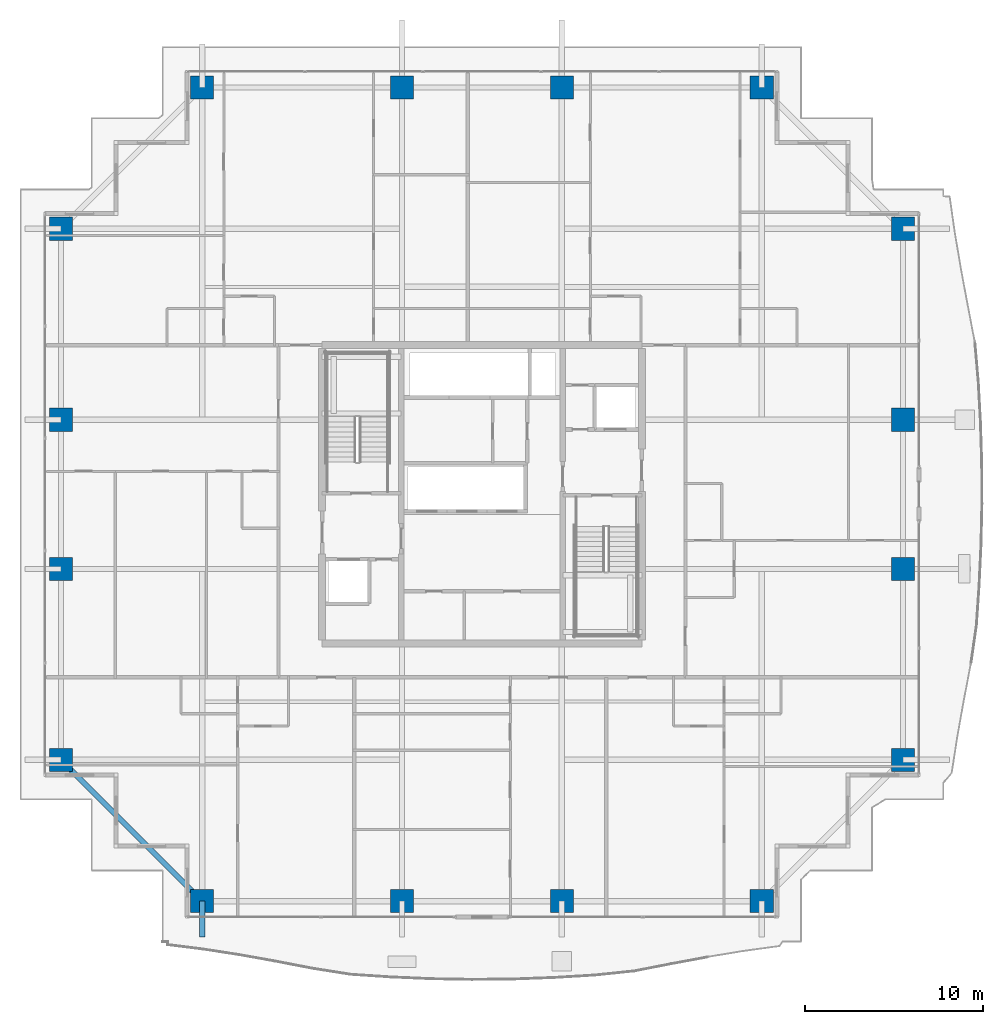
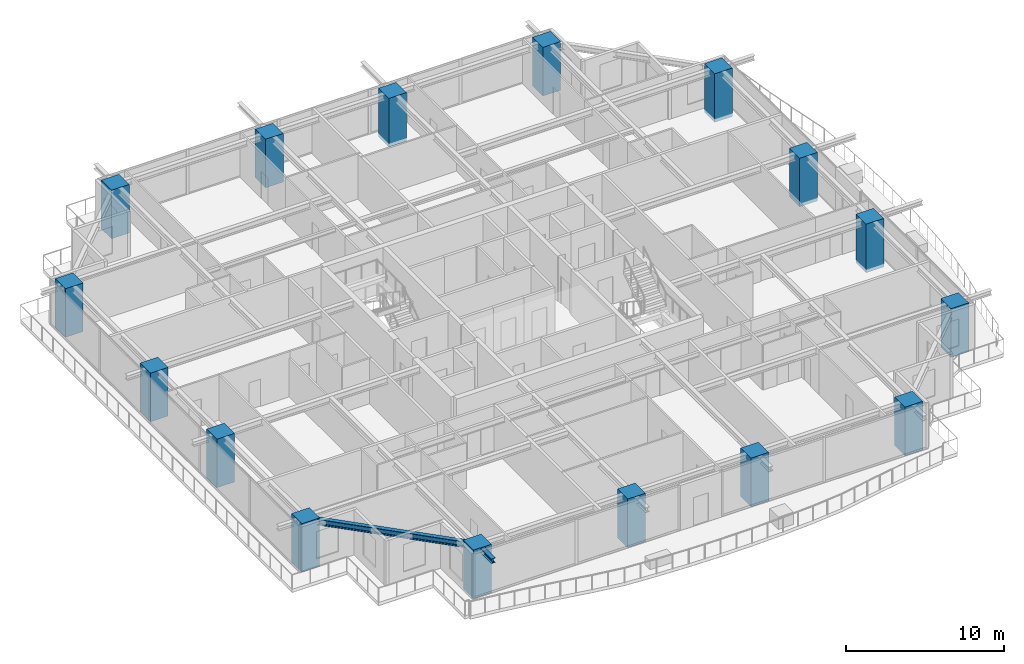
# One storey, part 1 of 37: 16 columns, 2 beams.
"""IFC4 building model written with IfcOpenShell, lengths in metres."""

from ifc_helpers import new_model, si_unit, direction, frame, origin, origin_2d, place, context, subcontext, project, spatial, rectangle, i_section, extrude, source, transform, mapped, material, material_profile, profile_set, type_object, element, save


model = new_model("IFC4")

# Units and contexts
model_context = context("Model", 3, precision=1e-05, world=origin(), true_north=direction((0.0, 1.0)))
body_context = subcontext(model_context, "Body", "Model", "MODEL_VIEW")
ifc_project = project(units=[si_unit("LENGTHUNIT", "METRE"), si_unit("AREAUNIT", "SQUARE_METRE"), si_unit("VOLUMEUNIT", "CUBIC_METRE"), si_unit("PLANEANGLEUNIT", "RADIAN"), si_unit("MASSUNIT", "GRAM", prefix="KILO")], contexts=[model_context])

# Site, building, storey
site_placement = place(None, origin())
site = spatial("IfcSite", under=ifc_project, at=site_placement, CompositionType="ELEMENT")
building_placement = place(site_placement, origin())
building = spatial("IfcBuilding", under=site, at=building_placement, Name="Serunith Strait Residences", CompositionType="ELEMENT")
storey_placement = place(building_placement, frame((0.0, 0.0, 161.39990234375)))
storey = spatial("IfcBuildingStorey", under=building, at=storey_placement, Name="L40", CompositionType="ELEMENT", Elevation=161.39990234375)

# Columns
ifc_material_1 = material(Name="Concrete C80/95", Category="concrete")
ifc_material_profile_1 = material_profile(ifc_material_1, rectangle(XDim=1.300048828125, YDim=1.300048828125, at=origin_2d()), Name="RC 1300x1300")
ifc_profile_set_1 = profile_set([ifc_material_profile_1], Name="Concrete C80/95")
column_type = type_object("IfcColumnType", Name="COL-RC-1300", PredefinedType="COLUMN", material=ifc_profile_set_1)
shared_shape_1 = source(origin(), body_context, "Body", "SweptSolid", [
    extrude(rectangle(XDim=1.300048828125, YDim=1.300048828125, at=origin_2d()), origin(), (0.0, 0.0, 1.0), 3.75),
])
for number, where, z_axis, x_axis, name in (
    (1, (16.64990234375, 2.300048828125, -0.260009765625), (0.0, 0.0, 1.0), (1.0, 0.0, 0.0), "L40 Tower Mega-Column TC-S1"),
    (2, (27.89990234375, 2.300048828125, -0.260009765625), (0.0, 0.0, 1.0), (1.0, 0.0, 0.0), "L40 Tower Mega-Column TC-S2"),
    (3, (36.89990234375, 2.300048828125, -0.260009765625), (0.0, 0.0, 1.0), (1.0, 0.0, 0.0), "L40 Tower Mega-Column TC-S3"),
    (4, (48.14990234375, 2.300048828125, -0.260009765625), (0.0, 0.0, 1.0), (1.0, 0.0, 0.0), "L40 Tower Mega-Column TC-S4"),
    (5, (16.64990234375, 48.10009765625, -0.260009765625), (0.0, 0.0, 1.0), (1.0, 0.0, 0.0), "L40 Tower Mega-Column TC-N1"),
    (6, (27.89990234375, 48.10009765625, -0.260009765625), (0.0, 0.0, 1.0), (1.0, 0.0, 0.0), "L40 Tower Mega-Column TC-N2"),
    (7, (36.89990234375, 48.10009765625, -0.260009765625), (0.0, 0.0, 1.0), (1.0, 0.0, 0.0), "L40 Tower Mega-Column TC-N3"),
    (8, (48.14990234375, 48.10009765625, -0.260009765625), (0.0, 0.0, 1.0), (1.0, 0.0, 0.0), "L40 Tower Mega-Column TC-N4"),
    (9, (56.10009765625, 10.25, -0.260009765625), (0.0, 0.0, 1.0), (1.0, 0.0, 0.0), "L40 Tower Mega-Column TC-E1"),
    (10, (56.10009765625, 21.0, -0.260009765625), (0.0, 0.0, 1.0), (1.0, 0.0, 0.0), "L40 Tower Mega-Column TC-E2"),
    (11, (56.10009765625, 29.39990234375, -0.260009765625), (0.0, 0.0, 1.0), (1.0, 0.0, 0.0), "L40 Tower Mega-Column TC-E3"),
    (12, (56.10009765625, 40.14990234375, -0.260009765625), (0.0, 0.0, 1.0), (1.0, 0.0, 0.0), "L40 Tower Mega-Column TC-E4"),
    (13, (8.699951171875, 10.25, -0.260009765625), (0.0, 0.0, 1.0), (1.0, 0.0, 0.0), "L40 Tower Mega-Column TC-W1"),
    (14, (8.699951171875, 21.0, -0.260009765625), (0.0, 0.0, 1.0), (1.0, 0.0, 0.0), "L40 Tower Mega-Column TC-W2"),
    (15, (8.699951171875, 29.39990234375, -0.260009765625), (0.0, 0.0, 1.0), (1.0, 0.0, 0.0), "L40 Tower Mega-Column TC-W3"),
    (16, (8.699951171875, 40.14990234375, -0.260009765625), (0.0, 0.0, 1.0), (1.0, 0.0, 0.0), "L40 Tower Mega-Column TC-W4"),
):
    element("IfcColumn", number, at=place(storey_placement, frame(where, z_axis=z_axis, x_axis=x_axis)), inside=storey, type_object=column_type, Name=name, PredefinedType="COLUMN", context=body_context, shape_type="MappedRepresentation", body=[
        mapped(shared_shape_1, transform((0.0, 0.0, 0.0), scale=1.0)),
    ])

# Beams
ifc_material_2 = material(Name="Steel S355J2", Category="steel")
ifc_material_profile_2 = material_profile(ifc_material_2, i_section(OverallWidth=0.300048828125, OverallDepth=0.449951171875, WebThickness=0.013916015625, FlangeThickness=0.02587890625, FilletRadius=0.027099609375, at=origin_2d()), Name="HEB 450")
ifc_profile_set_2 = profile_set([ifc_material_profile_2], Name="Steel S355J2")
beam_type_1 = type_object("IfcBeamType", Name="BM-HEB450", PredefinedType="BEAM", material=ifc_profile_set_2)
shared_shape_2 = source(origin(), body_context, "Body", "SweptSolid", [
    extrude(i_section(OverallWidth=0.300048828125, OverallDepth=0.449951171875, WebThickness=0.013916015625, FlangeThickness=0.02587890625, FilletRadius=0.027099609375, at=origin_2d()), origin(), (0.0, 0.0, 1.0), 11.242919921875),
])
beam_1_placement = place(storey_placement, frame((8.699951171875, 10.25, 3.232177734375), z_axis=(0.707106781187, -0.707106781187, 0.0), x_axis=(0.707106781187, 0.707106781187, 0.0)))
element("IfcBeam", 17, at=beam_1_placement, inside=storey, type_object=beam_type_1, Name="L40 Perimeter Ring Beam 16", PredefinedType="BEAM", context=body_context, shape_type="MappedRepresentation", body=[
    mapped(shared_shape_2, transform((0.0, 0.0, 0.0), scale=1.0)),
])
ifc_material_profile_3 = material_profile(ifc_material_2, i_section(OverallWidth=0.300048828125, OverallDepth=0.360107421875, WebThickness=0.012451171875, FlangeThickness=0.0224609375, FilletRadius=0.027099609375, at=origin_2d()), Name="HEB 360")
ifc_profile_set_3 = profile_set([ifc_material_profile_3], Name="Steel S355J2")
beam_type_2 = type_object("IfcBeamType", Name="BM-HEB360", PredefinedType="BEAM", material=ifc_profile_set_3)
shared_shape_3 = source(origin(), body_context, "Body", "SweptSolid", [
    extrude(i_section(OverallWidth=0.300048828125, OverallDepth=0.360107421875, WebThickness=0.012451171875, FlangeThickness=0.0224609375, FilletRadius=0.027099609375, at=origin_2d()), origin(), (0.0, 0.0, 1.0), 2.030029296875),
])
beam_2_placement = place(storey_placement, frame((16.64990234375, 2.300048828125, 3.277099609375), z_axis=(0.0, -1.0, 0.0), x_axis=(1.0, 0.0, 0.0)))
element("IfcBeam", 18, at=beam_2_placement, inside=storey, type_object=beam_type_2, Name="L41 Cantilevered Balcony Rib TC-S1", PredefinedType="BEAM", context=body_context, shape_type="MappedRepresentation", body=[
    mapped(shared_shape_3, transform((0.0, 0.0, 0.0), scale=1.0)),
])

save(model, "model.ifc")
